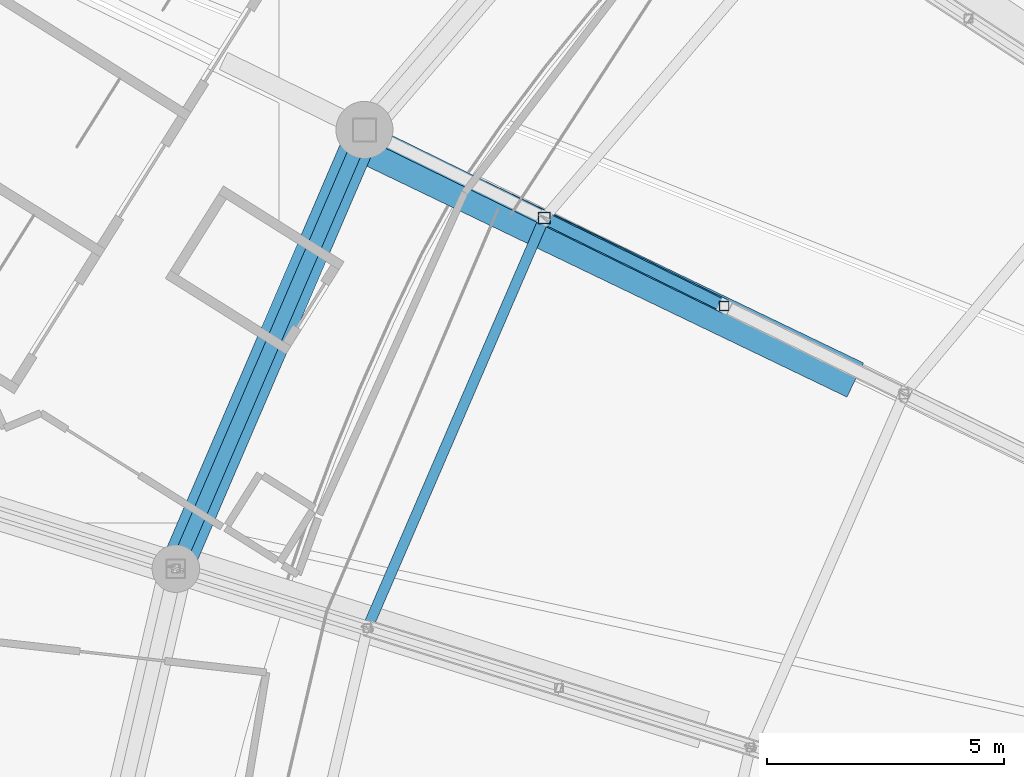
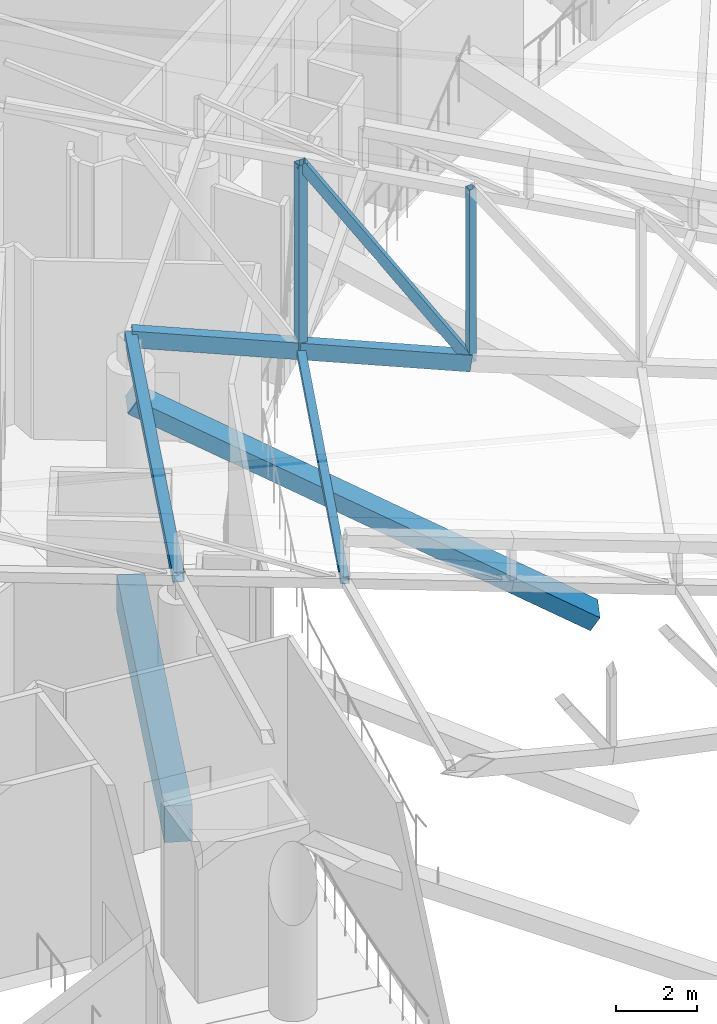
# One storey, part 129 of 344: 6 members, 2 beams.
"""IFC4 building model written with IfcOpenShell, lengths in metres."""

from ifc_helpers import new_model, si_unit, direction, frame, origin, origin_2d, place, context, subcontext, project, spatial, rectangle, hollow_rectangle, extrude, material, material_profile, profile_set, type_object, element, save


model = new_model("IFC4")

# Units and contexts
model_context = context("Model", 3, precision=1e-05, world=origin(), true_north=direction((0.0, 1.0)))
body_context = subcontext(model_context, "Body", "Model", "MODEL_VIEW")
ifc_project = project(units=[si_unit("LENGTHUNIT", "METRE"), si_unit("AREAUNIT", "SQUARE_METRE"), si_unit("VOLUMEUNIT", "CUBIC_METRE"), si_unit("PLANEANGLEUNIT", "RADIAN"), si_unit("MASSUNIT", "GRAM", prefix="KILO")], contexts=[model_context])

# Site, building, storey
site_placement = place(None, origin())
site = spatial("IfcSite", under=ifc_project, at=site_placement, CompositionType="ELEMENT")
building_placement = place(site_placement, origin())
building = spatial("IfcBuilding", under=site, at=building_placement, Name="Meseta Stadium", CompositionType="ELEMENT")
storey_placement = place(building_placement, frame((0.0, 0.0, 24.0)))
storey = spatial("IfcBuildingStorey", under=building, at=storey_placement, Name="L04", CompositionType="ELEMENT", Elevation=24.0)

# Beams
ifc_material_1 = material(Name="Concrete C40/50", Category="concrete")
ifc_material_profile_1 = material_profile(ifc_material_1, rectangle(XDim=0.699951171875, YDim=1.10009765625, at=origin_2d()), Name="RC 700x1100")
ifc_profile_set_1 = profile_set([ifc_material_profile_1], Name="Concrete C40/50")
beam_type_1 = type_object("IfcBeamType", Name="RC beam 700x1100", PredefinedType="BEAM", material=ifc_profile_set_1)
beam_1_placement = place(storey_placement, frame((-78.197998046875, 72.27197265625, -0.949951171875), z_axis=(-0.394921198525, -0.918714997676, 0.0), x_axis=(0.918714997676, -0.394921198525, 0.0)))
element("IfcBeam", 1, at=beam_1_placement, inside=storey, type_object=beam_type_1, Name="L04 ring beam frame 26 line P", PredefinedType="BEAM", context=body_context, shape_type="SweptSolid", body=[
    extrude(rectangle(XDim=0.699951171875, YDim=1.10009765625, at=origin_2d()), origin(), (0.0, 0.0, 1.0), 10.0556640625),
])
ifc_material_2 = material(Name="Concrete C40/50", Category="concrete")
ifc_material_profile_2 = material_profile(ifc_material_2, rectangle(XDim=0.800048828125, YDim=0.449951171875, at=origin_2d()), Name="RC 800x450")
ifc_profile_set_2 = profile_set([ifc_material_profile_2], Name="Concrete C40/50")
beam_type_2 = type_object("IfcBeamType", Name="RC raker upper rear 800x450", PredefinedType="USERDEFINED", material=ifc_profile_set_2)
beam_2_placement = place(storey_placement, frame((-67.972412109375, 67.057861328125, -2.061767578125), z_axis=(-0.764771479431, 0.367790726353, 0.529012822016), x_axis=(-0.433401758165, -0.901200818919, 0.0)))
element("IfcBeam", 2, at=beam_2_placement, inside=storey, type_object=beam_type_2, Name="Raker upper rear frame 26 upper tier", ObjectType="RAKER", PredefinedType="USERDEFINED", context=body_context, shape_type="SweptSolid", body=[
    extrude(rectangle(XDim=0.800048828125, YDim=0.449951171875, at=origin_2d()), origin(), (0.0, 0.0, 1.0), 13.5244140625),
])

# Members
ifc_material_3 = material(Name="Steel S355", Category="steel")
ifc_material_profile_3 = material_profile(ifc_material_3, hollow_rectangle(XDim=0.300048828125, YDim=0.5, WallThickness=0.01611328125, at=origin_2d()), Name="RHS 500x300x16")
ifc_profile_set_3 = profile_set([ifc_material_profile_3], Name="Steel S355")
member_type_1 = type_object("IfcMemberType", Name="RHS 500x300x16 bottom chord", PredefinedType="CHORD", material=ifc_profile_set_3)
member_1_placement = place(storey_placement, frame((-70.622314453125, 68.562744140625, 5.64892578125), z_axis=(-0.890081575126, 0.435804362581, 0.133526578544), x_axis=(-0.439742151314, -0.898124067352, 0.0)))
element("IfcMember", 3, at=member_1_placement, inside=storey, type_object=member_type_1, Name="ROOF TRUSS RT-26 bottom chord", PredefinedType="CHORD", context=body_context, shape_type="SweptSolid", body=[
    extrude(hollow_rectangle(XDim=0.300048828125, YDim=0.5, WallThickness=0.01611328125, at=origin_2d()), origin(), (0.0, 0.0, 1.0), 8.51123046875),
])
ifc_material_4 = material(Name="Steel S355", Category="steel")
ifc_material_profile_4 = material_profile(ifc_material_4, hollow_rectangle(XDim=0.199951171875, YDim=0.199951171875, WallThickness=0.008056640625, at=origin_2d()), Name="SHS 200x200x8")
ifc_profile_set_4 = profile_set([ifc_material_profile_4], Name="Steel S355")
member_type_2 = type_object("IfcMemberType", Name="SHS 200x200x8 post", PredefinedType="POST", material=ifc_profile_set_4)
member_2_placement = place(storey_placement, frame((-70.622314453125, 68.562744140625, 5.64892578125), z_axis=(0.0, 0.0, 1.0), x_axis=(1.0, 0.0, 0.0)))
element("IfcMember", 4, at=member_2_placement, inside=storey, type_object=member_type_2, Name="ROOF TRUSS RT-26 post", PredefinedType="POST", context=body_context, shape_type="SweptSolid", body=[
    extrude(hollow_rectangle(XDim=0.199951171875, YDim=0.199951171875, WallThickness=0.008056640625, at=origin_2d()), origin(), (0.0, 0.0, 1.0), 5.2314453125),
])
ifc_material_5 = material(Name="Steel S355", Category="steel")
ifc_material_profile_5 = material_profile(ifc_material_5, hollow_rectangle(XDim=0.219970703125, YDim=0.219970703125, WallThickness=0.008056640625, at=origin_2d()), Name="SHS 220x220x8")
ifc_profile_set_5 = profile_set([ifc_material_profile_5], Name="Steel S355")
member_type_3 = type_object("IfcMemberType", Name="SHS 220x220x8 strut", PredefinedType="STRUT", material=ifc_profile_set_5)
member_3_placement = place(storey_placement, frame((-74.41015625, 70.41748046875, 6.148681640625), z_axis=(-0.395854174476, -0.917333126271, -0.042419429452), x_axis=(0.918159570052, -0.396210807428, 0.0)))
element("IfcMember", 5, at=member_3_placement, inside=storey, type_object=member_type_3, Name="ROOF TRUSS STRUT RT-26/27", PredefinedType="STRUT", context=body_context, shape_type="SweptSolid", body=[
    extrude(hollow_rectangle(XDim=0.219970703125, YDim=0.219970703125, WallThickness=0.008056640625, at=origin_2d()), origin(), (0.0, 0.0, 1.0), 9.415771484375),
])
ifc_material_6 = material(Name="Steel S355", Category="steel")
ifc_material_profile_6 = material_profile(ifc_material_6, hollow_rectangle(XDim=0.25, YDim=0.25, WallThickness=0.010009765625, at=origin_2d()), Name="SHS 250x250x10")
ifc_profile_set_6 = profile_set([ifc_material_profile_6], Name="Steel S355")
member_type_4 = type_object("IfcMemberType", Name="SHS 250x250x10 diagonal", PredefinedType="BRACE", material=ifc_profile_set_6)
member_4_placement = place(storey_placement, frame((-70.622314453125, 68.562744140625, 5.64892578125), z_axis=(-0.506565341102, 0.248042339436, 0.825752113555), x_axis=(-0.439765497661, -0.898112636069, 0.0)))
element("IfcMember", 6, at=member_4_placement, inside=storey, type_object=member_type_4, Name="ROOF TRUSS RT-26 diagonal", PredefinedType="BRACE", context=body_context, shape_type="SweptSolid", body=[
    extrude(hollow_rectangle(XDim=0.25, YDim=0.25, WallThickness=0.010009765625, at=origin_2d()), origin(), (0.0, 0.0, 1.0), 7.4775390625),
])
ifc_material_7 = material(Name="Steel S355", Category="steel")
ifc_material_profile_7 = material_profile(ifc_material_7, hollow_rectangle(XDim=0.25, YDim=0.25, WallThickness=0.010009765625, at=origin_2d()), Name="SHS 250x250x10")
ifc_profile_set_7 = profile_set([ifc_material_profile_7], Name="Steel S355")
member_type_5 = type_object("IfcMemberType", Name="SHS 250x250x10 post", PredefinedType="POST", material=ifc_profile_set_7)
member_5_placement = place(storey_placement, frame((-74.41015625, 70.41748046875, 6.148681640625), z_axis=(0.0, 0.0, 1.0), x_axis=(1.0, 0.0, 0.0)))
element("IfcMember", 7, at=member_5_placement, inside=storey, type_object=member_type_5, Name="ROOF TRUSS RT-26 post", PredefinedType="POST", context=body_context, shape_type="SweptSolid", body=[
    extrude(hollow_rectangle(XDim=0.25, YDim=0.25, WallThickness=0.010009765625, at=origin_2d()), origin(), (0.0, 0.0, 1.0), 5.6748046875),
])
ifc_material_8 = material(Name="Steel S355", Category="steel")
ifc_material_profile_8 = material_profile(ifc_material_8, hollow_rectangle(XDim=0.300048828125, YDim=0.300048828125, WallThickness=0.010009765625, at=origin_2d()), Name="SHS 300x300x10")
ifc_profile_set_8 = profile_set([ifc_material_profile_8], Name="Steel S355")
member_type_6 = type_object("IfcMemberType", Name="SHS 300x300x10 pivot strut", PredefinedType="STRUT", material=ifc_profile_set_8)
member_6_placement = place(storey_placement, frame((-78.197998046875, 72.27197265625, 6.785400390625), z_axis=(-0.394757577459, -0.918334361923, -0.028782889885), x_axis=(0.918714997676, -0.394921198525, 0.0)))
element("IfcMember", 8, at=member_6_placement, inside=storey, type_object=member_type_6, Name="ROOF PIVOT STRUT RT-26/27", PredefinedType="STRUT", context=body_context, shape_type="SweptSolid", body=[
    extrude(hollow_rectangle(XDim=0.300048828125, YDim=0.300048828125, WallThickness=0.010009765625, at=origin_2d()), origin(), (0.0, 0.0, 1.0), 10.059814453125),
])

save(model, "model.ifc")
